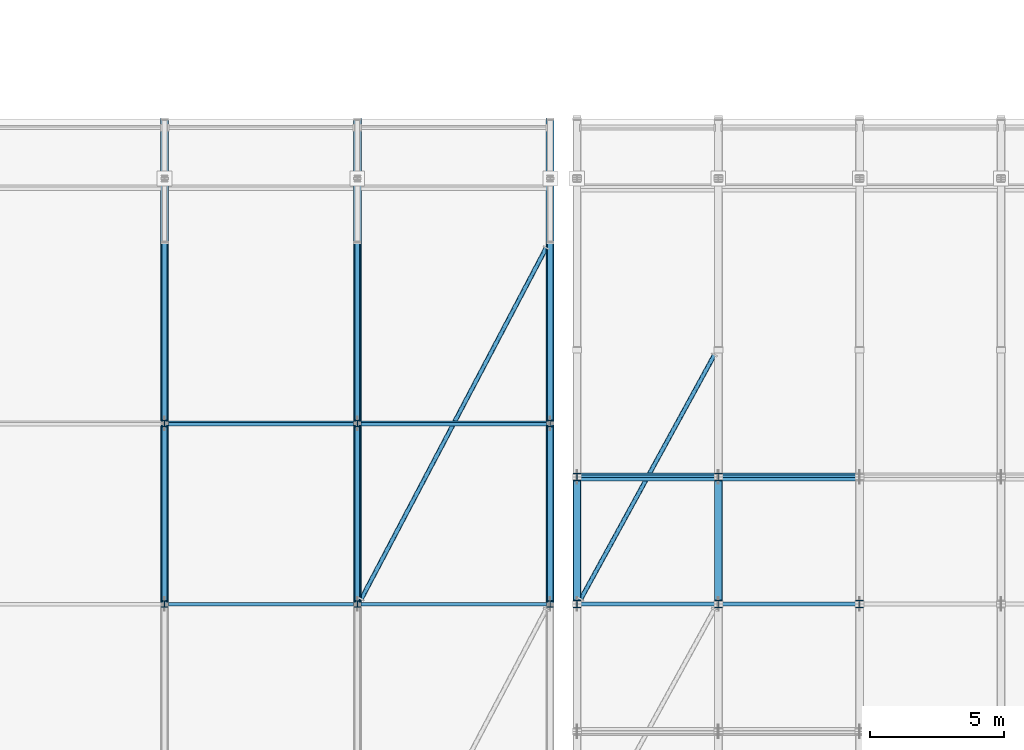
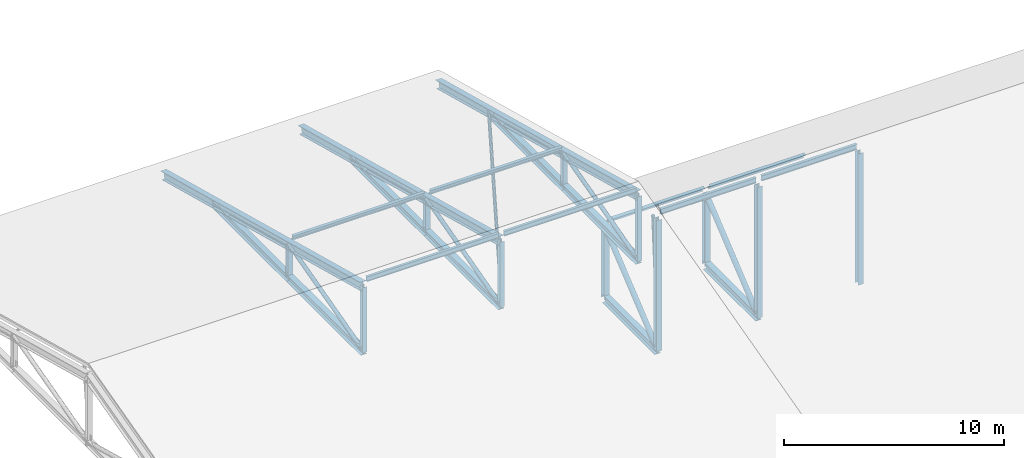
# One storey, part 10 of 57: 37 members, 3 beams.
"""IFC4 building model written with IfcOpenShell, lengths in metres."""

import ifcopenshell
import ifcopenshell.guid

model = None  # the IFC model being written
_history = None  # IfcOwnerHistory: only IFC2X3 demands one
_inside = {}  # id of a spatial element -> (the spatial element, [elements in it])
_under = {}  # id of a project, library or spatial element -> (it, [spatial elements below it])
_declared = {}  # id of a project -> (the project, [libraries it declares])
_typed = {}  # id of a type object -> (the type object, [elements of that type])
_made_of = {}  # id of a material, layer set ... -> (it, [elements and type objects made of it])


def new_model(schema):
    """Start an empty IFC model of exactly this schema.

    Asked for "IFC4X3", IfcOpenShell would pick the latest addendum, in which some entities
    have other attributes; the version numbers below select the first issue.
    IFC2X3 requires an IfcOwnerHistory on every rooted entity: one is made here for all.
    """
    global model, _history
    if schema == "IFC4X3":
        model = ifcopenshell.file(schema_version=(4, 3, 0, 0))
    else:
        model = ifcopenshell.file(schema=schema)
    _inside.clear()
    _under.clear()
    _declared.clear()
    _typed.clear()
    _made_of.clear()
    _history = None
    if model.schema == "IFC2X3":
        org = make("IfcOrganization", Name="unknown")
        user = make(
            "IfcPersonAndOrganization",
            ThePerson=make("IfcPerson", FamilyName="unknown"),
            TheOrganization=org,
        )
        app = make(
            "IfcApplication",
            ApplicationDeveloper=org,
            Version="unknown",
            ApplicationFullName="unknown",
            ApplicationIdentifier="unknown",
        )
        _history = make(
            "IfcOwnerHistory",
            OwningUser=user,
            OwningApplication=app,
            ChangeAction="ADDED",
            CreationDate=0,
        )
    return model


def make(cls, **values):
    """One entity of the class cls with the attributes given. An attribute that is None is left unset."""
    return model.create_entity(
        cls, **{name: value for name, value in values.items() if value is not None}
    )


def rooted(cls, **values):
    """An entity with a GlobalId (a new one), such as an element, a storey or a relation."""
    return make(cls, GlobalId=ifcopenshell.guid.new(), OwnerHistory=_history, **values)


def si_unit(unit_type, name, prefix=None):
    """IfcSIUnit, for example si_unit("LENGTHUNIT", "METRE", prefix="MILLI")."""
    return make("IfcSIUnit", UnitType=unit_type, Prefix=prefix, Name=name)


def assignment(units):
    """IfcUnitAssignment: the units of a project."""
    return None if units is None else make("IfcUnitAssignment", Units=units)


def point(xyz):
    """IfcCartesianPoint."""
    return None if xyz is None else make("IfcCartesianPoint", Coordinates=xyz)


def direction(xyz):
    """IfcDirection."""
    return None if xyz is None else make("IfcDirection", DirectionRatios=xyz)


def frame(location, z_axis=None, x_axis=None):
    """IfcAxis2Placement3D, a coordinate frame: its origin and axes. An axis left out is left unset."""
    return make(
        "IfcAxis2Placement3D",
        Location=point(location),
        Axis=direction(z_axis),
        RefDirection=direction(x_axis),
    )


def frame_2d(location, x_axis=None):
    """IfcAxis2Placement2D, a coordinate frame in the plane: its origin and x axis."""
    return make(
        "IfcAxis2Placement2D", Location=point(location), RefDirection=direction(x_axis)
    )


def origin():
    """The frame at (0, 0, 0) with its axes left unset."""
    return frame((0.0, 0.0, 0.0))


def origin_2d():
    """The frame at (0, 0) in the plane with its x axis left unset."""
    return frame_2d((0.0, 0.0))


def place(relative_to, where):
    """IfcLocalPlacement: puts the frame where relative to a parent placement (None: the world)."""
    return make(
        "IfcLocalPlacement", PlacementRelTo=relative_to, RelativePlacement=where
    )


def context(
    kind, dimensions, precision=None, world=None, true_north=None, identifier=None
):
    """IfcGeometricRepresentationContext, for example the 3D "Model" context."""
    return make(
        "IfcGeometricRepresentationContext",
        ContextIdentifier=identifier,
        ContextType=kind,
        CoordinateSpaceDimension=dimensions,
        Precision=precision,
        WorldCoordinateSystem=world,
        TrueNorth=true_north,
    )


def subcontext(parent, identifier, kind, view, scale=None):
    """IfcGeometricRepresentationSubContext, for example "Body" below "Model"."""
    return make(
        "IfcGeometricRepresentationSubContext",
        ContextIdentifier=identifier,
        ContextType=kind,
        ParentContext=parent,
        TargetScale=scale,
        TargetView=view,
    )


def project(units=None, contexts=None):
    """IfcProject with its units and contexts."""
    return rooted(
        "IfcProject",
        Name="project",
        RepresentationContexts=contexts,
        UnitsInContext=assignment(units),
    )


def spatial(cls, under=None, at=None, **own):
    """A site, building, storey or space (cls), placed at a placement, below another one or the project."""
    s = rooted(cls, ObjectPlacement=at, **own)
    if under is not None:
        _under.setdefault(under.id(), (under, []))[1].append(s)
    return s


def profile(cls, at=None, kind="AREA", **sizes):
    """A parametric profile (cls). Its sizes go by their IFC names, for example OverallWidth=200.0."""
    return make(cls, ProfileType=kind, Position=at, **sizes)


def hollow_circle(**sizes):
    """IfcCircleHollowProfileDef."""
    return profile("IfcCircleHollowProfileDef", **sizes)


def i_section(**sizes):
    """IfcIShapeProfileDef."""
    return profile("IfcIShapeProfileDef", **sizes)


def extrude(swept, where, along, depth):
    """IfcExtrudedAreaSolid: the profile swept, set in the frame where, extruded along a direction by depth."""
    return make(
        "IfcExtrudedAreaSolid",
        SweptArea=swept,
        Position=where,
        ExtrudedDirection=direction(along),
        Depth=depth,
    )


def shape(context_of_items, identifier, shape_type, items):
    """IfcShapeRepresentation: the items that make up one representation, for example the "Body"."""
    return make(
        "IfcShapeRepresentation",
        ContextOfItems=context_of_items,
        RepresentationIdentifier=identifier,
        RepresentationType=shape_type,
        Items=items,
    )


def material(Name=None, Category=None):
    """IfcMaterial."""
    return make("IfcMaterial", Name=Name, Category=Category)


def material_profile(
    of_material, cross_section, Name=None, Category=None, Priority=None
):
    """IfcMaterialProfile: a cross section and its material."""
    return make(
        "IfcMaterialProfile",
        Name=Name,
        Material=of_material,
        Profile=cross_section,
        Priority=Priority,
        Category=Category,
    )


def profile_set(profiles, Name=None, composite=None):
    """IfcMaterialProfileSet."""
    return make(
        "IfcMaterialProfileSet",
        Name=Name,
        MaterialProfiles=profiles,
        CompositeProfile=composite,
    )


def made_of(thing, what):
    """Note that an element or type object is made of a material, layer set ...; save() writes the relation."""
    if what is not None:
        _made_of.setdefault(what.id(), (what, []))[1].append(thing)
    return thing


def type_object(cls, material=None, **own):
    """A type object (cls), such as IfcWallType, which elements share."""
    return made_of(rooted(cls, **own), material)


def element(
    cls,
    number,
    at=None,
    inside=None,
    cuts=None,
    type_object=None,
    material=None,
    context=None,
    identifier="Body",
    shape_type=None,
    held_by="IfcProductDefinitionShape",
    body=None,
    shapes=None,
    **own,
):
    """One element of the class cls, such as IfcWall. Its Tag is "e" and its number.

    at: its placement. inside: the storey or other place that contains it. cuts: it is an
    opening in that element (IfcRelVoidsElement). A single representation is given by context,
    identifier, shape_type and body (its items); several are given by shapes. held_by: the class
    of the entity that holds the representations. save() writes the other relations.
    """
    e = rooted(cls, Tag="e%d" % number, ObjectPlacement=at, **own)
    if body is not None:
        shapes = [shape(context, identifier, shape_type, body)]
    if shapes is not None:
        e.Representation = make(held_by, Representations=shapes)
    if inside is not None:
        _inside.setdefault(inside.id(), (inside, []))[1].append(e)
    if cuts is not None:
        rooted(
            "IfcRelVoidsElement", RelatingBuildingElement=cuts, RelatedOpeningElement=e
        )
    if type_object is not None:
        _typed.setdefault(type_object.id(), (type_object, []))[1].append(e)
    return made_of(e, material)


def aggregate(whole, parts):
    """IfcRelAggregates: a whole, such as a stair, and the parts it consists of."""
    return rooted("IfcRelAggregates", RelatingObject=whole, RelatedObjects=parts)


def save(model, path):
    """Write the relations noted so far, then the file.

    IfcRelAggregates (storeys below a building ...), IfcRelContainedInSpatialStructure (elements
    in a storey), IfcRelDefinesByType, IfcRelAssociatesMaterial and IfcRelDeclares: one each for
    every whole, place, type object, material and project.
    """
    for whole, parts in _under.values():
        aggregate(whole, parts)
    for where, things in _inside.values():
        rooted(
            "IfcRelContainedInSpatialStructure",
            RelatedElements=things,
            RelatingStructure=where,
        )
    for kind, things in _typed.values():
        rooted("IfcRelDefinesByType", RelatedObjects=things, RelatingType=kind)
    for what, things in _made_of.values():
        rooted("IfcRelAssociatesMaterial", RelatedObjects=things, RelatingMaterial=what)
    for by, libraries in _declared.values():
        rooted("IfcRelDeclares", RelatingContext=by, RelatedDefinitions=libraries)
    model.write(path)


model = new_model("IFC4")

# Units and contexts
model_context = context("Model", 3, precision=1e-05, world=origin(), true_north=direction((0.0, 1.0)))
body_context = subcontext(model_context, "Body", "Model", "MODEL_VIEW")
ifc_project = project(units=[si_unit("LENGTHUNIT", "METRE"), si_unit("AREAUNIT", "SQUARE_METRE"), si_unit("VOLUMEUNIT", "CUBIC_METRE"), si_unit("PLANEANGLEUNIT", "RADIAN"), si_unit("MASSUNIT", "GRAM", prefix="KILO")], contexts=[model_context])

# Site, building, storey
site_placement = place(None, origin())
site = spatial("IfcSite", under=ifc_project, at=site_placement, CompositionType="ELEMENT")
building_placement = place(site_placement, origin())
building = spatial("IfcBuilding", under=site, at=building_placement, Name="Kelarvand Opera House", CompositionType="ELEMENT")
storey_placement = place(building_placement, frame((0.0, 0.0, 33.60009765625)))
storey = spatial("IfcBuildingStorey", under=building, at=storey_placement, Name="Roof", CompositionType="ELEMENT", Elevation=33.60009765625)

# Members
ifc_material = material(Name="Steel S355", Category="steel")
ifc_material_profile_1 = material_profile(ifc_material, hollow_circle(Radius=0.084228515625, WallThickness=0.008056640625, at=origin_2d()), Name="CHS 168.3x8.0", Category="steel")
ifc_profile_set_1 = profile_set([ifc_material_profile_1], Name="Steel S355")
member_type_1 = type_object("IfcMemberType", Name="Structural Brace CHS 168.3x8.0 BR-CHS168", PredefinedType="BRACE", material=ifc_profile_set_1)
member_1_placement = place(storey_placement, frame((89.14990234375, 62.699951171875, -4.800048828125), z_axis=(0.480061991754, 0.877234566164, 0.0), x_axis=(-0.877234566164, 0.480061991754, 0.0)))
element("IfcMember", 1, at=member_1_placement, inside=storey, type_object=member_type_1, Name="V1 Roof Wind Brace 1.2", PredefinedType="BRACE", context=body_context, shape_type="SweptSolid", body=[
    extrude(hollow_circle(Radius=0.084228515625, WallThickness=0.008056640625, at=origin_2d()), origin(), (0.0, 0.0, 1.0), 10.37353515625),
])
member_2_placement = place(storey_placement, frame((80.949951171875, 62.699951171875, 0.52001953125), z_axis=(0.466029798714, 0.884769024498, 0.0), x_axis=(-0.884769024498, 0.466029798714, 0.0)))
element("IfcMember", 2, at=member_2_placement, inside=storey, type_object=member_type_1, Name="V2 Roof Wind Brace 4.2", PredefinedType="BRACE", context=body_context, shape_type="SweptSolid", body=[
    extrude(hollow_circle(Radius=0.084228515625, WallThickness=0.008056640625, at=origin_2d()), origin(), (0.0, 0.0, 1.0), 14.80615234375),
])
ifc_material_profile_2 = material_profile(ifc_material, hollow_circle(Radius=0.109619140625, WallThickness=0.010009765625, at=origin_2d()), Name="CHS 219.1x10.0", Category="steel")
ifc_profile_set_2 = profile_set([ifc_material_profile_2], Name="Steel S355")
member_type_2 = type_object("IfcMemberType", Name="Structural Brace CHS 219.1x10.0 BR-CHS219", PredefinedType="BRACE", material=ifc_profile_set_2)
for number, where, z_axis, x_axis, name in (
    (3, (73.60009765625, 62.5, 0.52001953125), (0.0, 0.965709449252, 0.259625229177), (-1.0, 0.0, 0.0), "V2 Roof Truss 3 Web Diagonal 3"),
    (4, (73.60009765625, 69.25, 2.334716796875), (0.0, 0.965709449252, -0.259625229177), (-1.0, 0.0, 0.0), "V2 Roof Truss 3 Web Diagonal 4"),
    (5, (80.800048828125, 62.5, 0.52001953125), (0.0, 0.965709449252, 0.259625229177), (-1.0, 0.0, 0.0), "V2 Roof Truss 4 Web Diagonal 3"),
    (6, (80.800048828125, 69.25, 2.334716796875), (0.0, 0.965709449252, -0.259625229177), (-1.0, 0.0, 0.0), "V2 Roof Truss 4 Web Diagonal 4"),
    (7, (88.0, 62.5, 0.52001953125), (0.0, 0.965709449252, 0.259625229177), (-1.0, 0.0, 0.0), "V2 Roof Truss 5 Web Diagonal 3"),
    (8, (88.0, 69.25, 2.334716796875), (0.0, 0.965709449252, -0.259625229177), (-1.0, 0.0, 0.0), "V2 Roof Truss 5 Web Diagonal 4"),
):
    element("IfcMember", number, at=place(storey_placement, frame(where, z_axis=z_axis, x_axis=x_axis)), inside=storey, type_object=member_type_2, Name=name, PredefinedType="BRACE", context=body_context, shape_type="SweptSolid", body=[
        extrude(hollow_circle(Radius=0.109619140625, WallThickness=0.010009765625, at=origin_2d()), origin(), (0.0, 0.0, 1.0), 6.98974609375),
    ])
ifc_material_profile_3 = material_profile(ifc_material, hollow_circle(Radius=0.136474609375, WallThickness=0.012451171875, at=origin_2d()), Name="CHS 273.0x12.5", Category="steel")
ifc_profile_set_3 = profile_set([ifc_material_profile_3], Name="Steel S355")
member_type_3 = type_object("IfcMemberType", Name="Structural Brace CHS 273.0x12.5 BR-CHS273", PredefinedType="BRACE", material=ifc_profile_set_3)
for number, where, z_axis, x_axis, name in (
    (9, (89.0, 62.5, -4.800048828125), (0.0, 0.772175345454, 0.635409502504), (-1.0, 0.0, 0.0), "V1 Roof Truss 1 Web Diagonal 3"),
    (10, (94.280029296875, 62.5, -4.800048828125), (0.0, 0.772175345454, 0.635409502504), (-1.0, 0.0, 0.0), "V1 Roof Truss 2 Web Diagonal 3"),
):
    element("IfcMember", number, at=place(storey_placement, frame(where, z_axis=z_axis, x_axis=x_axis)), inside=storey, type_object=member_type_3, Name=name, PredefinedType="BRACE", context=body_context, shape_type="SweptSolid", body=[
        extrude(hollow_circle(Radius=0.136474609375, WallThickness=0.012451171875, at=origin_2d()), origin(), (0.0, 0.0, 1.0), 6.1513671875),
    ])
ifc_material_profile_4 = material_profile(ifc_material, i_section(OverallWidth=0.300048828125, OverallDepth=0.39990234375, WebThickness=0.013427734375, FlangeThickness=0.02392578125, at=origin_2d()), Name="HEB 400", Category="steel")
ifc_profile_set_4 = profile_set([ifc_material_profile_4], Name="Steel S355")
member_type_4 = type_object("IfcMemberType", Name="Structural Chord HEB 400 CH-HEB400", PredefinedType="CHORD", material=ifc_profile_set_4)
for number, where, z_axis, x_axis, name in (
    (11, (73.60009765625, 62.5, 0.52001953125), (0.0, 1.0, 0.0), (-1.0, 0.0, 0.0), "V2 Roof Truss 3 Bottom Chord 3"),
    (12, (73.60009765625, 69.25, 0.52001953125), (0.0, 1.0, 0.0), (-1.0, 0.0, 0.0), "V2 Roof Truss 3 Bottom Chord 4"),
    (13, (80.800048828125, 62.5, 0.52001953125), (0.0, 1.0, 0.0), (-1.0, 0.0, 0.0), "V2 Roof Truss 4 Bottom Chord 3"),
    (14, (80.800048828125, 69.25, 0.52001953125), (0.0, 1.0, 0.0), (-1.0, 0.0, 0.0), "V2 Roof Truss 4 Bottom Chord 4"),
    (15, (88.0, 62.5, 0.52001953125), (0.0, 1.0, 0.0), (-1.0, 0.0, 0.0), "V2 Roof Truss 5 Bottom Chord 3"),
    (16, (88.0, 69.25, 0.52001953125), (0.0, 1.0, 0.0), (-1.0, 0.0, 0.0), "V2 Roof Truss 5 Bottom Chord 4"),
):
    element("IfcMember", number, at=place(storey_placement, frame(where, z_axis=z_axis, x_axis=x_axis)), inside=storey, type_object=member_type_4, Name=name, PredefinedType="CHORD", context=body_context, shape_type="SweptSolid", body=[
        extrude(i_section(OverallWidth=0.300048828125, OverallDepth=0.39990234375, WebThickness=0.013427734375, FlangeThickness=0.02392578125, at=origin_2d()), origin(), (0.0, 0.0, 1.0), 6.75),
    ])
ifc_material_profile_5 = material_profile(ifc_material, i_section(OverallWidth=0.300048828125, OverallDepth=0.449951171875, WebThickness=0.013916015625, FlangeThickness=0.02587890625, at=origin_2d()), Name="HEB 450", Category="steel")
ifc_profile_set_5 = profile_set([ifc_material_profile_5], Name="Steel S355")
member_type_5 = type_object("IfcMemberType", Name="Structural Chord HEB 450 CH-HEB450", PredefinedType="CHORD", material=ifc_profile_set_5)
for number, where, z_axis, x_axis, name in (
    (17, (89.0, 62.5, -4.800048828125), (0.0, 1.0, 0.0), (-1.0, 0.0, 0.0), "V1 Roof Truss 1 Bottom Chord 3"),
    (18, (94.280029296875, 62.5, -4.800048828125), (0.0, 1.0, 0.0), (-1.0, 0.0, 0.0), "V1 Roof Truss 2 Bottom Chord 3"),
):
    element("IfcMember", number, at=place(storey_placement, frame(where, z_axis=z_axis, x_axis=x_axis)), inside=storey, type_object=member_type_5, Name=name, PredefinedType="CHORD", context=body_context, shape_type="SweptSolid", body=[
        extrude(i_section(OverallWidth=0.300048828125, OverallDepth=0.449951171875, WebThickness=0.013916015625, FlangeThickness=0.02587890625, at=origin_2d()), origin(), (0.0, 0.0, 1.0), 4.75),
    ])
ifc_material_profile_6 = material_profile(ifc_material, i_section(OverallWidth=0.239990234375, OverallDepth=0.239990234375, WebThickness=0.010009765625, FlangeThickness=0.01708984375, at=origin_2d()), Name="HEB 240", Category="steel")
ifc_profile_set_6 = profile_set([ifc_material_profile_6], Name="Steel S355")
member_type_6 = type_object("IfcMemberType", Name="Structural Post HEB 240 PS-HEB240", PredefinedType="POST", material=ifc_profile_set_6)
member_3_placement = place(storey_placement, frame((73.60009765625, 62.5, 0.52001953125), z_axis=(0.0, 0.0, 1.0), x_axis=(1.0, 0.0, 0.0)))
element("IfcMember", 19, at=member_3_placement, inside=storey, type_object=member_type_6, Name="V2 Roof Truss 3 Post 2", PredefinedType="POST", context=body_context, shape_type="SweptSolid", body=[
    extrude(i_section(OverallWidth=0.239990234375, OverallDepth=0.239990234375, WebThickness=0.010009765625, FlangeThickness=0.01708984375, at=origin_2d()), origin(), (0.0, 0.0, 1.0), 3.6044921875),
])
member_4_placement = place(storey_placement, frame((73.60009765625, 69.25, 0.52001953125), z_axis=(0.0, 0.0, 1.0), x_axis=(1.0, 0.0, 0.0)))
element("IfcMember", 20, at=member_4_placement, inside=storey, type_object=member_type_6, Name="V2 Roof Truss 3 Post 3", PredefinedType="POST", context=body_context, shape_type="SweptSolid", body=[
    extrude(i_section(OverallWidth=0.239990234375, OverallDepth=0.239990234375, WebThickness=0.010009765625, FlangeThickness=0.01708984375, at=origin_2d()), origin(), (0.0, 0.0, 1.0), 1.814697265625),
])
member_5_placement = place(storey_placement, frame((80.800048828125, 62.5, 0.52001953125), z_axis=(0.0, 0.0, 1.0), x_axis=(1.0, 0.0, 0.0)))
element("IfcMember", 21, at=member_5_placement, inside=storey, type_object=member_type_6, Name="V2 Roof Truss 4 Post 2", PredefinedType="POST", context=body_context, shape_type="SweptSolid", body=[
    extrude(i_section(OverallWidth=0.239990234375, OverallDepth=0.239990234375, WebThickness=0.010009765625, FlangeThickness=0.01708984375, at=origin_2d()), origin(), (0.0, 0.0, 1.0), 3.6044921875),
])
member_6_placement = place(storey_placement, frame((80.800048828125, 69.25, 0.52001953125), z_axis=(0.0, 0.0, 1.0), x_axis=(1.0, 0.0, 0.0)))
element("IfcMember", 22, at=member_6_placement, inside=storey, type_object=member_type_6, Name="V2 Roof Truss 4 Post 3", PredefinedType="POST", context=body_context, shape_type="SweptSolid", body=[
    extrude(i_section(OverallWidth=0.239990234375, OverallDepth=0.239990234375, WebThickness=0.010009765625, FlangeThickness=0.01708984375, at=origin_2d()), origin(), (0.0, 0.0, 1.0), 1.814697265625),
])
member_7_placement = place(storey_placement, frame((88.0, 62.5, 0.52001953125), z_axis=(0.0, 0.0, 1.0), x_axis=(1.0, 0.0, 0.0)))
element("IfcMember", 23, at=member_7_placement, inside=storey, type_object=member_type_6, Name="V2 Roof Truss 5 Post 2", PredefinedType="POST", context=body_context, shape_type="SweptSolid", body=[
    extrude(i_section(OverallWidth=0.239990234375, OverallDepth=0.239990234375, WebThickness=0.010009765625, FlangeThickness=0.01708984375, at=origin_2d()), origin(), (0.0, 0.0, 1.0), 3.6044921875),
])
member_8_placement = place(storey_placement, frame((88.0, 69.25, 0.52001953125), z_axis=(0.0, 0.0, 1.0), x_axis=(1.0, 0.0, 0.0)))
element("IfcMember", 24, at=member_8_placement, inside=storey, type_object=member_type_6, Name="V2 Roof Truss 5 Post 3", PredefinedType="POST", context=body_context, shape_type="SweptSolid", body=[
    extrude(i_section(OverallWidth=0.239990234375, OverallDepth=0.239990234375, WebThickness=0.010009765625, FlangeThickness=0.01708984375, at=origin_2d()), origin(), (0.0, 0.0, 1.0), 1.814697265625),
])
ifc_material_profile_7 = material_profile(ifc_material, i_section(OverallWidth=0.280029296875, OverallDepth=0.280029296875, WebThickness=0.010498046875, FlangeThickness=0.01806640625, at=origin_2d()), Name="HEB 280", Category="steel")
ifc_profile_set_7 = profile_set([ifc_material_profile_7], Name="Steel S355")
member_type_7 = type_object("IfcMemberType", Name="Structural Post HEB 280 PS-HEB280", PredefinedType="POST", material=ifc_profile_set_7)
member_9_placement = place(storey_placement, frame((89.0, 62.5, -4.800048828125), z_axis=(0.0, 0.0, 1.0), x_axis=(1.0, 0.0, 0.0)))
element("IfcMember", 25, at=member_9_placement, inside=storey, type_object=member_type_7, Name="V1 Roof Truss 1 Post 2", PredefinedType="POST", context=body_context, shape_type="SweptSolid", body=[
    extrude(i_section(OverallWidth=0.280029296875, OverallDepth=0.280029296875, WebThickness=0.010498046875, FlangeThickness=0.01806640625, at=origin_2d()), origin(), (0.0, 0.0, 1.0), 7.267822265625),
])
member_10_placement = place(storey_placement, frame((89.0, 67.25, -4.800048828125), z_axis=(0.0, 0.0, 1.0), x_axis=(1.0, 0.0, 0.0)))
element("IfcMember", 26, at=member_10_placement, inside=storey, type_object=member_type_7, Name="V1 Roof Truss 1 Post 3", PredefinedType="POST", context=body_context, shape_type="SweptSolid", body=[
    extrude(i_section(OverallWidth=0.280029296875, OverallDepth=0.280029296875, WebThickness=0.010498046875, FlangeThickness=0.01806640625, at=origin_2d()), origin(), (0.0, 0.0, 1.0), 3.90869140625),
])
member_11_placement = place(storey_placement, frame((94.280029296875, 62.5, -4.800048828125), z_axis=(0.0, 0.0, 1.0), x_axis=(1.0, 0.0, 0.0)))
element("IfcMember", 27, at=member_11_placement, inside=storey, type_object=member_type_7, Name="V1 Roof Truss 2 Post 2", PredefinedType="POST", context=body_context, shape_type="SweptSolid", body=[
    extrude(i_section(OverallWidth=0.280029296875, OverallDepth=0.280029296875, WebThickness=0.010498046875, FlangeThickness=0.01806640625, at=origin_2d()), origin(), (0.0, 0.0, 1.0), 7.267822265625),
])
member_12_placement = place(storey_placement, frame((94.280029296875, 67.25, -4.800048828125), z_axis=(0.0, 0.0, 1.0), x_axis=(1.0, 0.0, 0.0)))
element("IfcMember", 28, at=member_12_placement, inside=storey, type_object=member_type_7, Name="V1 Roof Truss 2 Post 3", PredefinedType="POST", context=body_context, shape_type="SweptSolid", body=[
    extrude(i_section(OverallWidth=0.280029296875, OverallDepth=0.280029296875, WebThickness=0.010498046875, FlangeThickness=0.01806640625, at=origin_2d()), origin(), (0.0, 0.0, 1.0), 3.90869140625),
])
member_13_placement = place(storey_placement, frame((99.56005859375, 62.5, -4.800048828125), z_axis=(0.0, 0.0, 1.0), x_axis=(1.0, 0.0, 0.0)))
element("IfcMember", 29, at=member_13_placement, inside=storey, type_object=member_type_7, Name="V1 Roof Truss 3 Post 2", PredefinedType="POST", context=body_context, shape_type="SweptSolid", body=[
    extrude(i_section(OverallWidth=0.280029296875, OverallDepth=0.280029296875, WebThickness=0.010498046875, FlangeThickness=0.01806640625, at=origin_2d()), origin(), (0.0, 0.0, 1.0), 7.267822265625),
])
ifc_material_profile_8 = material_profile(ifc_material, i_section(OverallWidth=0.135009765625, OverallDepth=0.27001953125, WebThickness=0.006591796875, FlangeThickness=0.01025390625, at=origin_2d()), Name="IPE 270", Category="steel")
ifc_profile_set_8 = profile_set([ifc_material_profile_8], Name="Steel S355")
member_type_8 = type_object("IfcMemberType", Name="Structural Purlin IPE 270 PR-IPE270", PredefinedType="PURLIN", material=ifc_profile_set_8)
for number, where, z_axis, x_axis, name in (
    (30, (73.739990234375, 62.5, 4.4755859375), (1.0, 0.0, 0.0), (0.0, 1.0, 0.0), "V2 Roof Purlin 3.4"),
    (31, (73.739990234375, 69.25, 2.6728515625), (1.0, 0.0, 0.0), (0.0, 0.966600102017, 0.256289373133), "V2 Roof Purlin 3.5"),
):
    element("IfcMember", number, at=place(storey_placement, frame(where, z_axis=z_axis, x_axis=x_axis)), inside=storey, type_object=member_type_8, Name=name, PredefinedType="PURLIN", context=body_context, shape_type="SweptSolid", body=[
        extrude(i_section(OverallWidth=0.135009765625, OverallDepth=0.27001953125, WebThickness=0.006591796875, FlangeThickness=0.01025390625, at=origin_2d()), origin(), (0.0, 0.0, 1.0), 6.919921875),
    ])
for number, where, z_axis, x_axis, name in (
    (32, (80.93994140625, 62.5, 4.4755859375), (1.0, 0.0, 0.0), (0.0, 1.0, 0.0), "V2 Roof Purlin 4.4"),
    (33, (80.93994140625, 69.25, 2.6728515625), (1.0, 0.0, 0.0), (0.0, 0.966600102017, 0.256289373133), "V2 Roof Purlin 4.5"),
):
    element("IfcMember", number, at=place(storey_placement, frame(where, z_axis=z_axis, x_axis=x_axis)), inside=storey, type_object=member_type_8, Name=name, PredefinedType="PURLIN", context=body_context, shape_type="SweptSolid", body=[
        extrude(i_section(OverallWidth=0.135009765625, OverallDepth=0.27001953125, WebThickness=0.006591796875, FlangeThickness=0.01025390625, at=origin_2d()), origin(), (0.0, 0.0, 1.0), 6.920166015625),
    ])
ifc_material_profile_9 = material_profile(ifc_material, i_section(OverallWidth=0.14990234375, OverallDepth=0.300048828125, WebThickness=0.007080078125, FlangeThickness=0.0107421875, at=origin_2d()), Name="IPE 300", Category="steel")
ifc_profile_set_9 = profile_set([ifc_material_profile_9], Name="Steel S355")
member_type_9 = type_object("IfcMemberType", Name="Structural Purlin IPE 300 PR-IPE300", PredefinedType="PURLIN", material=ifc_profile_set_9)
for number, where, z_axis, x_axis, name in (
    (34, (89.139892578125, 62.5, 2.826416015625), (1.0, 0.0, 0.0), (0.0, 1.0, 0.0), "V1 Roof Purlin 1.4"),
    (35, (89.139892578125, 67.25, -0.548583984375), (1.0, 0.0, 0.0), (0.0, 0.816440043737, 0.577430216549), "V1 Roof Purlin 1.5"),
    (36, (94.419921875, 62.5, 2.826416015625), (1.0, 0.0, 0.0), (0.0, 1.0, 0.0), "V1 Roof Purlin 2.4"),
    (37, (94.419921875, 67.25, -0.548583984375), (1.0, 0.0, 0.0), (0.0, 0.816440043737, 0.577430216549), "V1 Roof Purlin 2.5"),
):
    element("IfcMember", number, at=place(storey_placement, frame(where, z_axis=z_axis, x_axis=x_axis)), inside=storey, type_object=member_type_9, Name=name, PredefinedType="PURLIN", context=body_context, shape_type="SweptSolid", body=[
        extrude(i_section(OverallWidth=0.14990234375, OverallDepth=0.300048828125, WebThickness=0.007080078125, FlangeThickness=0.0107421875, at=origin_2d()), origin(), (0.0, 0.0, 1.0), 5.0),
    ])

# Beams
ifc_material_profile_10 = material_profile(ifc_material, i_section(OverallWidth=0.300048828125, OverallDepth=0.449951171875, WebThickness=0.013916015625, FlangeThickness=0.02587890625, at=origin_2d()), Name="HEB 450", Category="steel")
ifc_profile_set_10 = profile_set([ifc_material_profile_10], Name="Steel S355")
beam_type = type_object("IfcBeamType", Name="Structural Roof Truss HEB 450 RT-HEB450", PredefinedType="USERDEFINED", material=ifc_profile_set_10)
for number, where, z_axis, x_axis, name in (
    (38, (73.60009765625, 62.5, 4.12451171875), (0.0, 0.966591492403, -0.256321842249), (-1.0, 0.0, 0.0), "V2 Roof Truss 3 Top Chord Rafter 2"),
    (39, (80.800048828125, 62.5, 4.12451171875), (0.0, 0.966591492403, -0.256321842249), (-1.0, 0.0, 0.0), "V2 Roof Truss 4 Top Chord Rafter 2"),
    (40, (88.0, 62.5, 4.12451171875), (0.0, 0.966591492403, -0.256321842249), (-1.0, 0.0, 0.0), "V2 Roof Truss 5 Top Chord Rafter 2"),
):
    element("IfcBeam", number, at=place(storey_placement, frame(where, z_axis=z_axis, x_axis=x_axis)), inside=storey, type_object=beam_type, Name=name, ObjectType="ROOF TRUSS", PredefinedType="USERDEFINED", context=body_context, shape_type="SweptSolid", body=[
        extrude(i_section(OverallWidth=0.300048828125, OverallDepth=0.449951171875, WebThickness=0.013916015625, FlangeThickness=0.02587890625, at=origin_2d()), origin(), (0.0, 0.0, 1.0), 18.7255859375),
    ])

save(model, "model.ifc")
